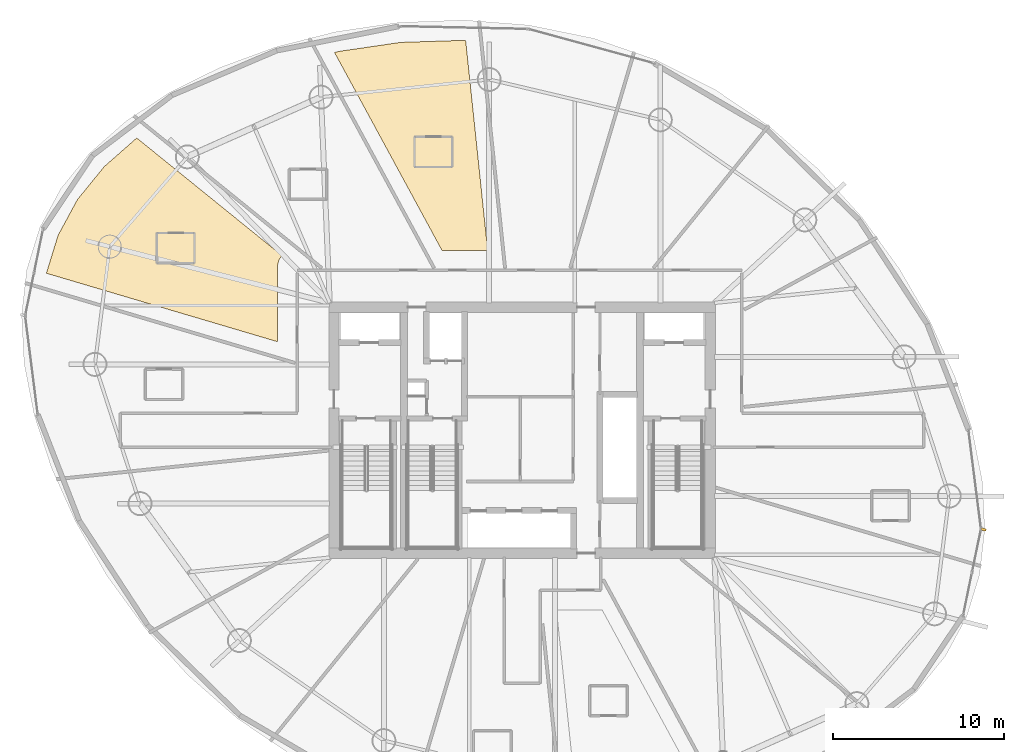
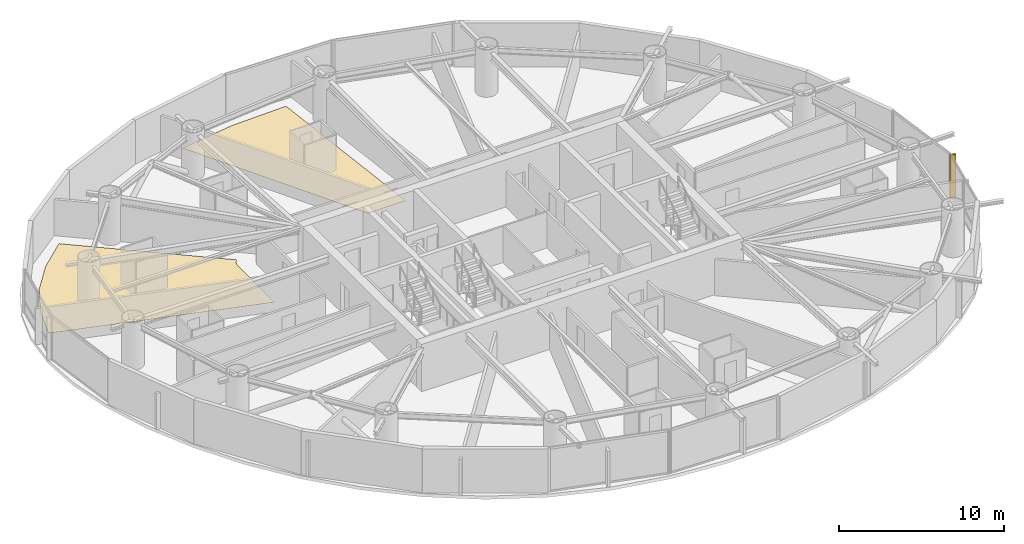
# One storey, part 26 of 26: 2 coverings, 1 shading device.
"""IFC4 building model written with IfcOpenShell, lengths in metres."""

from ifc_helpers import new_model, si_unit, direction, frame, origin, origin_2d, place, context, subcontext, project, spatial, polyline, rectangle, outline, extrude, material, layer, layer_set, type_object, element, save


model = new_model("IFC4")

# Units and contexts
model_context = context("Model", 3, precision=1e-05, world=origin(), true_north=direction((0.0, 1.0)))
body_context = subcontext(model_context, "Body", "Model", "MODEL_VIEW")
ifc_project = project(units=[si_unit("LENGTHUNIT", "METRE"), si_unit("AREAUNIT", "SQUARE_METRE"), si_unit("VOLUMEUNIT", "CUBIC_METRE"), si_unit("PLANEANGLEUNIT", "RADIAN"), si_unit("MASSUNIT", "GRAM", prefix="KILO")], contexts=[model_context])

# Site, building, storey
site_placement = place(None, origin())
site = spatial("IfcSite", under=ifc_project, at=site_placement, CompositionType="ELEMENT")
building_placement = place(site_placement, origin())
building = spatial("IfcBuilding", under=site, at=building_placement, Name="Bramvorn Convention Spire", CompositionType="ELEMENT")
storey_placement = place(building_placement, frame((0.0, 0.0, 123.800048828125)))
storey = spatial("IfcBuildingStorey", under=building, at=storey_placement, Name="L30", CompositionType="ELEMENT", Elevation=123.800048828125)

# Coverings
ifc_material_1 = material(Name="Solution-Dyed Wool Broadloom Hospitality Carpet", Category="textile")
ifc_layer = layer(ifc_material_1, 0.014892578125)
ifc_layer_set = layer_set([ifc_layer], Name="Solution-Dyed Wool Broadloom Hospitality Carpet - FLR-CARPET-15")
covering_type = type_object("IfcCoveringType", Name="FLR-CARPET-15", PredefinedType="FLOORING", material=ifc_layer_set)
covering_1_placement = place(storey_placement, origin())
element("IfcCovering", 1, at=covering_1_placement, inside=storey, type_object=covering_type, Name="Hotel Suite 3005 wool broadloom carpet", PredefinedType="FLOORING", context=body_context, shape_type="SweptSolid", body=[
    extrude(outline(polyline([(27.31884765625, 48.161865234375), (27.03076171875, 48.089111328125), (33.322998046875, 36.5), (35.991455078125, 36.5), (34.697998046875, 48.806884765625), (30.887451171875, 48.682861328125), (27.31884765625, 48.161865234375)])), origin(), (0.0, 0.0, 1.0), 0.014892578125),
])
covering_2_placement = place(storey_placement, origin())
element("IfcCovering", 2, at=covering_2_placement, inside=storey, type_object=covering_type, Name="Hotel Suite 3007 wool broadloom carpet", PredefinedType="FLOORING", context=body_context, shape_type="SweptSolid", body=[
    extrude(outline(polyline([(23.699951171875, 31.174560546875), (23.704345703125, 35.688232421875), (23.7685546875, 35.9443359375), (23.948974609375, 36.22021484375), (15.462890625, 43.092041015625), (13.560791015625, 41.41845703125), (11.993896484375, 39.493896484375), (10.864501953125, 37.40673828125), (10.176025390625, 35.180419921875), (23.699951171875, 31.174560546875)])), origin(), (0.0, 0.0, 1.0), 0.014892578125),
])

# Shading device
ifc_material_2 = material(Name="Extruded Champagne Bronze Aluminium Lancet Fin", Category="aluminium")
shading_device_type = type_object("IfcShadingDeviceType", Name="SHD-FIN-LANCET", PredefinedType="SHUTTER", material=ifc_material_2)
shading_device_placement = place(storey_placement, frame((64.962158203125, 20.198486328125, 0.0498046875), z_axis=(0.0, 0.0, 1.0), x_axis=(0.977625076019, -0.210354963666, 0.0)))
element("IfcShadingDevice", 3, at=shading_device_placement, inside=storey, type_object=shading_device_type, Name="L30 Gothic bronze wind-corner fin 01", PredefinedType="SHUTTER", context=body_context, shape_type="SweptSolid", body=[
    extrude(rectangle(XDim=0.360107421875, YDim=0.139892578125, at=origin_2d()), origin(), (0.0, 0.0, 1.0), 3.159912109375),
])

save(model, "model.ifc")
